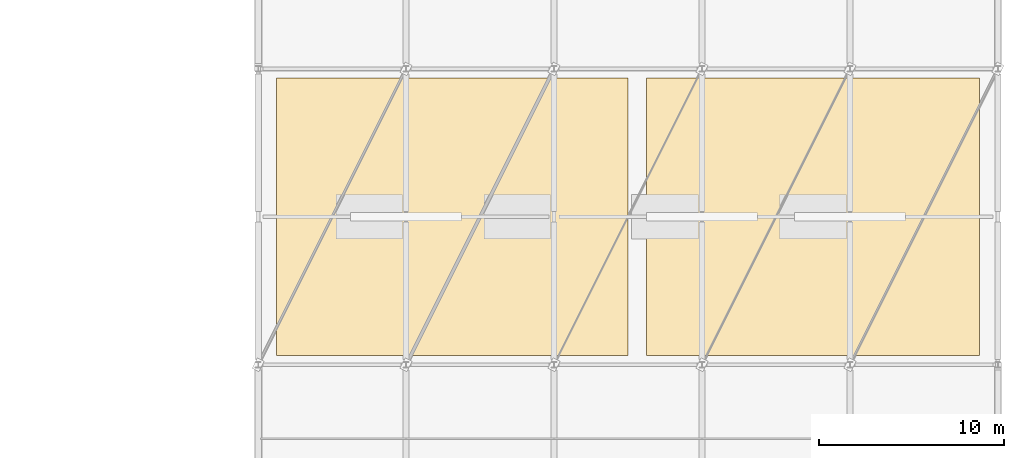
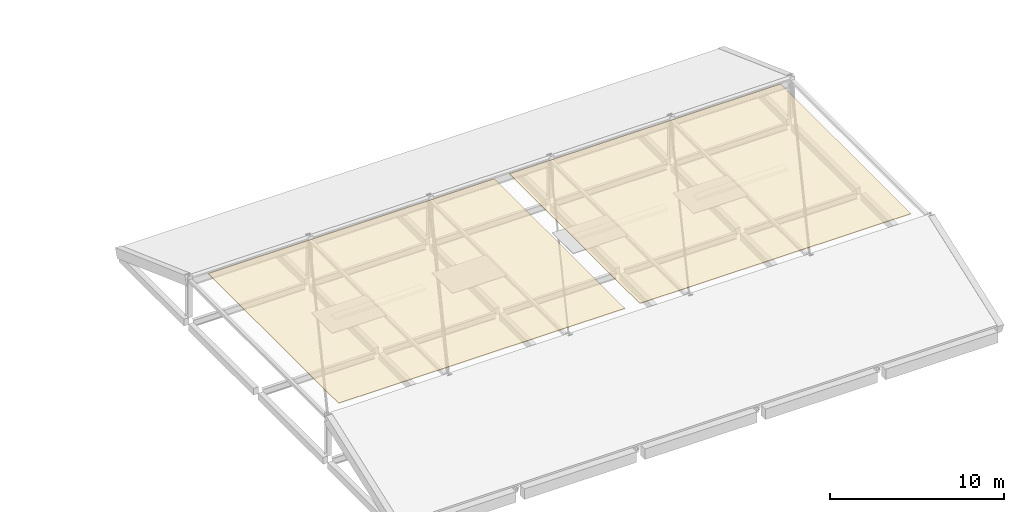
# One storey, part 47 of 47: 2 coverings.
"""IFC4 building model written with IfcOpenShell, lengths in metres."""

from ifc_helpers import new_model, si_unit, direction, frame, origin, place, context, subcontext, project, spatial, polyline, outline, extrude, material, layer, layer_set, type_object, element, save


model = new_model("IFC4")

# Units and contexts
model_context = context("Model", 3, precision=1e-05, world=origin(), true_north=direction((0.0, 1.0)))
body_context = subcontext(model_context, "Body", "Model", "MODEL_VIEW")
ifc_project = project(units=[si_unit("LENGTHUNIT", "METRE"), si_unit("AREAUNIT", "SQUARE_METRE"), si_unit("VOLUMEUNIT", "CUBIC_METRE"), si_unit("PLANEANGLEUNIT", "RADIAN"), si_unit("MASSUNIT", "GRAM", prefix="KILO")], contexts=[model_context])

# Site, building, storey
site_placement = place(None, origin())
site = spatial("IfcSite", under=ifc_project, at=site_placement, CompositionType="ELEMENT")
building_placement = place(site_placement, origin())
building = spatial("IfcBuilding", under=site, at=building_placement, Name="Pecanmere Concourse Central Library", CompositionType="ELEMENT")
storey_placement = place(building_placement, frame((0.0, 0.0, 15.300048828125)))
storey = spatial("IfcBuildingStorey", under=building, at=storey_placement, Name="L04", CompositionType="ELEMENT", Elevation=15.300048828125)

# Coverings
ifc_material = material(Name="Architectural standing-seam copper")
ifc_layer = layer(ifc_material, 0.034912109375, Name="COV_ROOF_COPPER")
ifc_layer_set = layer_set([ifc_layer], Name="Architectural standing-seam copper")
covering_type = type_object("IfcCoveringType", Name="COV_ROOF_COPPER", PredefinedType="ROOFING", material=ifc_layer_set)
covering_1_placement = place(storey_placement, frame((0.0, 0.0, 2.919921875)))
element("IfcCovering", 1, at=covering_1_placement, inside=storey, type_object=covering_type, Name="Standing-Seam Copper Roof Membrane 03", PredefinedType="ROOFING", context=body_context, shape_type="SweptSolid", body=[
    extrude(outline(polyline([(129.0, 8.5), (148.0, 8.5), (148.0, 23.5), (129.0, 23.5), (129.0, 8.5)])), origin(), (0.0, 0.0, 1.0), 0.034912109375),
])
covering_2_placement = place(storey_placement, frame((0.0, 0.0, 2.919921875)))
element("IfcCovering", 2, at=covering_2_placement, inside=storey, type_object=covering_type, Name="Standing-Seam Copper Roof Membrane 04", PredefinedType="ROOFING", context=body_context, shape_type="SweptSolid", body=[
    extrude(outline(polyline([(149.0, 8.5), (167.0, 8.5), (167.0, 23.5), (149.0, 23.5), (149.0, 8.5)])), origin(), (0.0, 0.0, 1.0), 0.034912109375),
])

save(model, "model.ifc")
